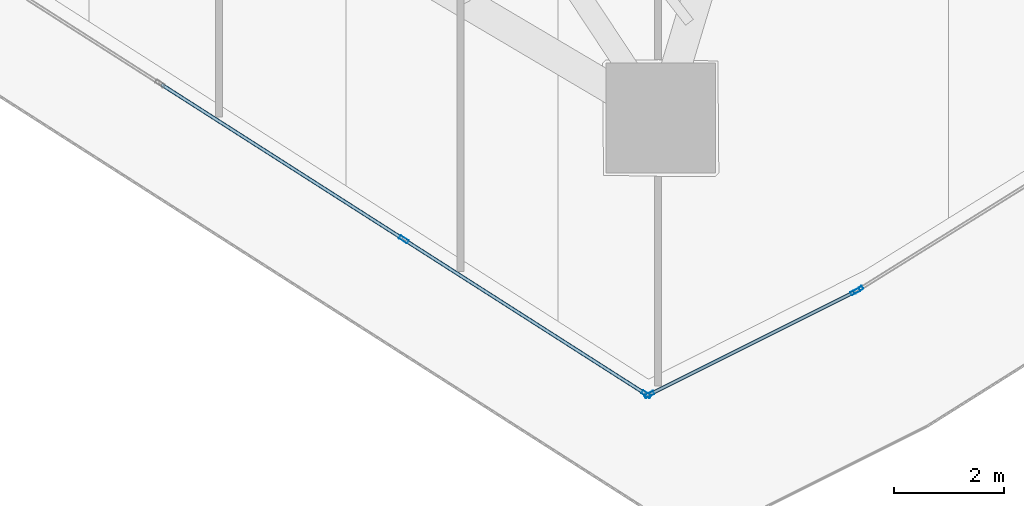
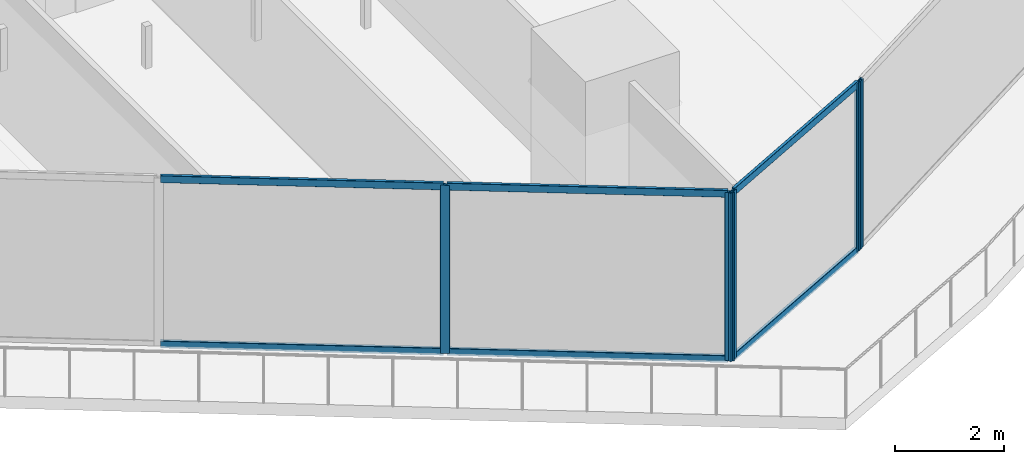
# One storey, part 8 of 33: 11 members, 3 elements without a shape of their own.
"""IFC4 building model written with IfcOpenShell, lengths in metres."""

from ifc_helpers import new_model, si_unit, direction, frame, origin, origin_2d, place, context, subcontext, project, spatial, hollow_rectangle, extrude, material, layer, layer_set, material_profile, profile_set, type_object, element, aggregate, save


model = new_model("IFC4")

# Units and contexts
model_context = context("Model", 3, precision=1e-05, world=origin(), true_north=direction((0.0, 1.0)))
body_context = subcontext(model_context, "Body", "Model", "MODEL_VIEW")
ifc_project = project(units=[si_unit("LENGTHUNIT", "METRE"), si_unit("AREAUNIT", "SQUARE_METRE"), si_unit("VOLUMEUNIT", "CUBIC_METRE"), si_unit("PLANEANGLEUNIT", "RADIAN"), si_unit("MASSUNIT", "GRAM", prefix="KILO")], contexts=[model_context])

# Site, building, storey
site_placement = place(None, origin())
site = spatial("IfcSite", under=ifc_project, at=site_placement, CompositionType="ELEMENT")
building_placement = place(site_placement, origin())
building = spatial("IfcBuilding", under=site, at=building_placement, Name="Qorvath Tower", CompositionType="ELEMENT")
storey_placement = place(building_placement, frame((0.0, 0.0, 209.10009765625)))
storey = spatial("IfcBuildingStorey", under=building, at=storey_placement, Name="L48", CompositionType="ELEMENT", Elevation=209.10009765625)

# Curtain wall, members
ifc_material_1 = material(Name="Anodised aluminium and triple low-E glass", Category="aluminium")
ifc_layer = layer(ifc_material_1, 0.179931640625)
ifc_layer_set = layer_set([ifc_layer], Name="CW-SYS-3")
curtain_wall_type = type_object("IfcCurtainWallType", Name="CW-SYS-3", PredefinedType="NOTDEFINED", material=ifc_layer_set)
curtain_wall_1_placement = place(storey_placement, origin())
curtain_wall_1 = element("IfcCurtainWall", 1, at=curtain_wall_1_placement, inside=storey, type_object=curtain_wall_type, Name="Curtain Wall CW-3 CW-T-L48-2.2", PredefinedType="NOTDEFINED")
ifc_material_2 = material(Name="Anodised aluminium 6063-T6", Category="aluminium")
ifc_material_profile_1 = material_profile(ifc_material_2, hollow_rectangle(XDim=0.06494140625, YDim=0.179931640625, WallThickness=0.00341796875, InnerFilletRadius=0.00341796875, OuterFilletRadius=0.007080078125, at=origin_2d()), Name="CWM 180x65")
ifc_profile_set_1 = profile_set([ifc_material_profile_1], Name="Anodised aluminium 6063-T6")
member_type_1 = type_object("IfcMemberType", Name="CWM-180", PredefinedType="MULLION", material=ifc_profile_set_1)
member_1_placement = place(storey_placement, frame((-21.551513671875, -23.839111328125, 0.0), z_axis=(0.0, 0.0, 1.0), x_axis=(0.538532547612, 0.842604708723, 0.0)))
member_1 = element("IfcMember", 2, at=member_1_placement, type_object=member_type_1, Name="CW-3 mullion 7", PredefinedType="MULLION", context=body_context, shape_type="SweptSolid", body=[
    extrude(hollow_rectangle(XDim=0.06494140625, YDim=0.179931640625, WallThickness=0.00341796875, InnerFilletRadius=0.00341796875, OuterFilletRadius=0.007080078125, at=origin_2d()), origin(), (0.0, 0.0, 1.0), 3.77978515625),
])
member_2_placement = place(storey_placement, frame((-17.134033203125, -26.662353515625, 0.0), z_axis=(0.0, 0.0, 1.0), x_axis=(0.538532547612, 0.842604708723, 0.0)))
member_2 = element("IfcMember", 3, at=member_2_placement, type_object=member_type_1, Name="CW-3 mullion 8", PredefinedType="MULLION", context=body_context, shape_type="SweptSolid", body=[
    extrude(hollow_rectangle(XDim=0.06494140625, YDim=0.179931640625, WallThickness=0.00341796875, InnerFilletRadius=0.00341796875, OuterFilletRadius=0.007080078125, at=origin_2d()), origin(), (0.0, 0.0, 1.0), 3.77978515625),
])

curtain_wall_2_placement = place(storey_placement, origin())
curtain_wall_2 = element("IfcCurtainWall", 4, at=curtain_wall_2_placement, inside=storey, type_object=curtain_wall_type, Name="Curtain Wall CW-3 CW-T-L48-3.1", PredefinedType="NOTDEFINED")
member_3_placement = place(storey_placement, frame((-17.07763671875, -26.665283203125, 0.0), z_axis=(0.0, 0.0, 1.0), x_axis=(-0.447166660566, 0.894450656928, 0.0)))
member_3 = element("IfcMember", 5, at=member_3_placement, type_object=member_type_1, Name="CW-3 mullion 1", PredefinedType="MULLION", context=body_context, shape_type="SweptSolid", body=[
    extrude(hollow_rectangle(XDim=0.06494140625, YDim=0.179931640625, WallThickness=0.00341796875, InnerFilletRadius=0.00341796875, OuterFilletRadius=0.007080078125, at=origin_2d()), origin(), (0.0, 0.0, 1.0), 3.77978515625),
])
member_4_placement = place(storey_placement, frame((-13.32421875, -24.788818359375, 0.0), z_axis=(0.0, 0.0, 1.0), x_axis=(-0.447166660566, 0.894450656928, 0.0)))
member_4 = element("IfcMember", 6, at=member_4_placement, type_object=member_type_1, Name="CW-3 mullion 2", PredefinedType="MULLION", context=body_context, shape_type="SweptSolid", body=[
    extrude(hollow_rectangle(XDim=0.06494140625, YDim=0.179931640625, WallThickness=0.00341796875, InnerFilletRadius=0.00341796875, OuterFilletRadius=0.007080078125, at=origin_2d()), origin(), (0.0, 0.0, 1.0), 3.77978515625),
])

# Curtain wall, member
curtain_wall_3_placement = place(storey_placement, origin())
curtain_wall_3 = element("IfcCurtainWall", 7, at=curtain_wall_3_placement, inside=storey, type_object=curtain_wall_type, Name="Curtain Wall CW-3 CW-T-L48-4.1", PredefinedType="NOTDEFINED")
member_5_placement = place(storey_placement, frame((-13.267578125, -24.75732421875, 0.0), z_axis=(0.0, 0.0, 1.0), x_axis=(-0.529074089173, 0.848575634912, 0.0)))
member_5 = element("IfcMember", 8, at=member_5_placement, type_object=member_type_1, Name="CW-3 mullion 1", PredefinedType="MULLION", context=body_context, shape_type="SweptSolid", body=[
    extrude(hollow_rectangle(XDim=0.06494140625, YDim=0.179931640625, WallThickness=0.00341796875, InnerFilletRadius=0.00341796875, OuterFilletRadius=0.007080078125, at=origin_2d()), origin(), (0.0, 0.0, 1.0), 3.77978515625),
])
aggregate(curtain_wall_3, [member_5])

# Member
ifc_material_3 = material(Name="Anodised aluminium 6063-T6", Category="aluminium")
ifc_material_profile_2 = material_profile(ifc_material_3, hollow_rectangle(XDim=0.06494140625, YDim=0.159912109375, WallThickness=0.00341796875, InnerFilletRadius=0.00341796875, OuterFilletRadius=0.007080078125, at=origin_2d()), Name="CWT 160x65")
ifc_profile_set_2 = profile_set([ifc_material_profile_2], Name="Anodised aluminium 6063-T6")
member_type_2 = type_object("IfcMemberType", Name="CWT-160", PredefinedType="USERDEFINED", material=ifc_profile_set_2)
member_6_placement = place(storey_placement, frame((-25.96875, -21.015869140625, 0.032470703125), z_axis=(0.842608252522, -0.538527002835, 0.0), x_axis=(0.538527002835, 0.842608252522, 0.0)))
member_6 = element("IfcMember", 9, at=member_6_placement, type_object=member_type_2, Name="CW-3 transom 6.1", ObjectType="TRANSOM", PredefinedType="USERDEFINED", context=body_context, shape_type="SweptSolid", body=[
    extrude(hollow_rectangle(XDim=0.06494140625, YDim=0.159912109375, WallThickness=0.00341796875, InnerFilletRadius=0.00341796875, OuterFilletRadius=0.007080078125, at=origin_2d()), origin(), (0.0, 0.0, 1.0), 5.2099609375),
])

member_7_placement = place(storey_placement, frame((-25.96875, -21.015869140625, 3.747314453125), z_axis=(0.842608252522, -0.538527002835, 0.0), x_axis=(0.538527002835, 0.842608252522, 0.0)))
member_7 = element("IfcMember", 10, at=member_7_placement, type_object=member_type_2, Name="CW-3 transom 6.2", ObjectType="TRANSOM", PredefinedType="USERDEFINED", context=body_context, shape_type="SweptSolid", body=[
    extrude(hollow_rectangle(XDim=0.06494140625, YDim=0.159912109375, WallThickness=0.00341796875, InnerFilletRadius=0.00341796875, OuterFilletRadius=0.007080078125, at=origin_2d()), origin(), (0.0, 0.0, 1.0), 5.2099609375),
])

member_8_placement = place(storey_placement, frame((-21.52392578125, -23.856689453125, 0.032470703125), z_axis=(0.842617210776, -0.538512986013, 0.0), x_axis=(0.538512986013, 0.842617210776, 0.0)))
member_8 = element("IfcMember", 11, at=member_8_placement, type_object=member_type_2, Name="CW-3 transom 7.1", ObjectType="TRANSOM", PredefinedType="USERDEFINED", context=body_context, shape_type="SweptSolid", body=[
    extrude(hollow_rectangle(XDim=0.06494140625, YDim=0.159912109375, WallThickness=0.00341796875, InnerFilletRadius=0.00341796875, OuterFilletRadius=0.007080078125, at=origin_2d()), origin(), (0.0, 0.0, 1.0), 5.177490234375),
])

member_9_placement = place(storey_placement, frame((-21.52392578125, -23.856689453125, 3.747314453125), z_axis=(0.842617210776, -0.538512986013, 0.0), x_axis=(0.538512986013, 0.842617210776, 0.0)))
member_9 = element("IfcMember", 12, at=member_9_placement, type_object=member_type_2, Name="CW-3 transom 7.2", ObjectType="TRANSOM", PredefinedType="USERDEFINED", context=body_context, shape_type="SweptSolid", body=[
    extrude(hollow_rectangle(XDim=0.06494140625, YDim=0.159912109375, WallThickness=0.00341796875, InnerFilletRadius=0.00341796875, OuterFilletRadius=0.007080078125, at=origin_2d()), origin(), (0.0, 0.0, 1.0), 5.177490234375),
])

aggregate(curtain_wall_1, [member_1, member_2, member_6, member_7, member_8, member_9])

member_10_placement = place(storey_placement, frame((-17.048583984375, -26.65087890625, 0.032470703125), z_axis=(0.894450827457, 0.447166319462, 0.0), x_axis=(-0.447166319462, 0.894450827457, 0.0)))
member_10 = element("IfcMember", 13, at=member_10_placement, type_object=member_type_2, Name="CW-3 transom 1.1", ObjectType="TRANSOM", PredefinedType="USERDEFINED", context=body_context, shape_type="SweptSolid", body=[
    extrude(hollow_rectangle(XDim=0.06494140625, YDim=0.159912109375, WallThickness=0.00341796875, InnerFilletRadius=0.00341796875, OuterFilletRadius=0.007080078125, at=origin_2d()), origin(), (0.0, 0.0, 1.0), 4.13134765625),
])

member_11_placement = place(storey_placement, frame((-17.048583984375, -26.65087890625, 3.747314453125), z_axis=(0.894450827457, 0.447166319462, 0.0), x_axis=(-0.447166319462, 0.894450827457, 0.0)))
member_11 = element("IfcMember", 14, at=member_11_placement, type_object=member_type_2, Name="CW-3 transom 1.2", ObjectType="TRANSOM", PredefinedType="USERDEFINED", context=body_context, shape_type="SweptSolid", body=[
    extrude(hollow_rectangle(XDim=0.06494140625, YDim=0.159912109375, WallThickness=0.00341796875, InnerFilletRadius=0.00341796875, OuterFilletRadius=0.007080078125, at=origin_2d()), origin(), (0.0, 0.0, 1.0), 4.13134765625),
])

aggregate(curtain_wall_2, [member_3, member_4, member_10, member_11])

save(model, "model.ifc")
